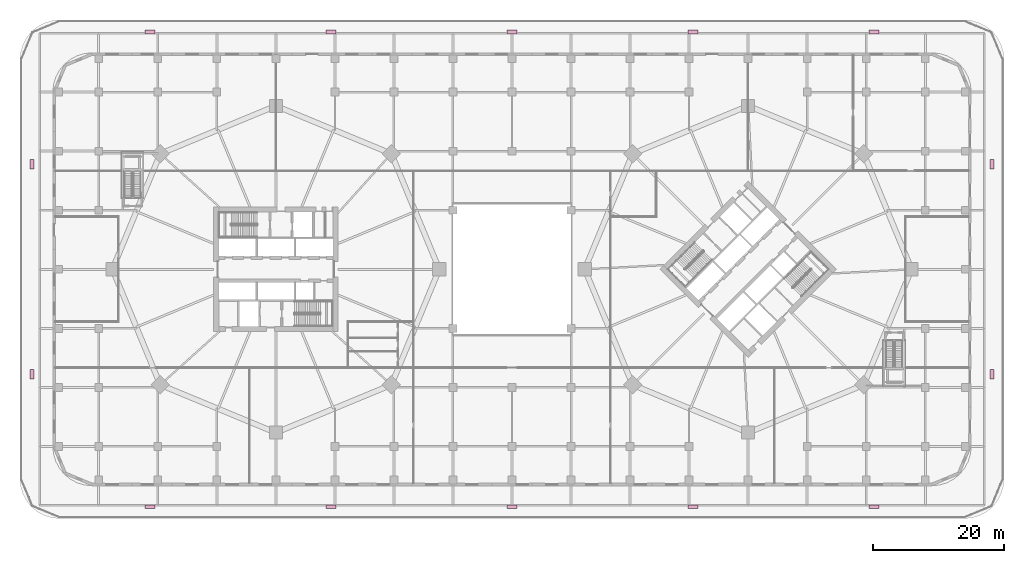
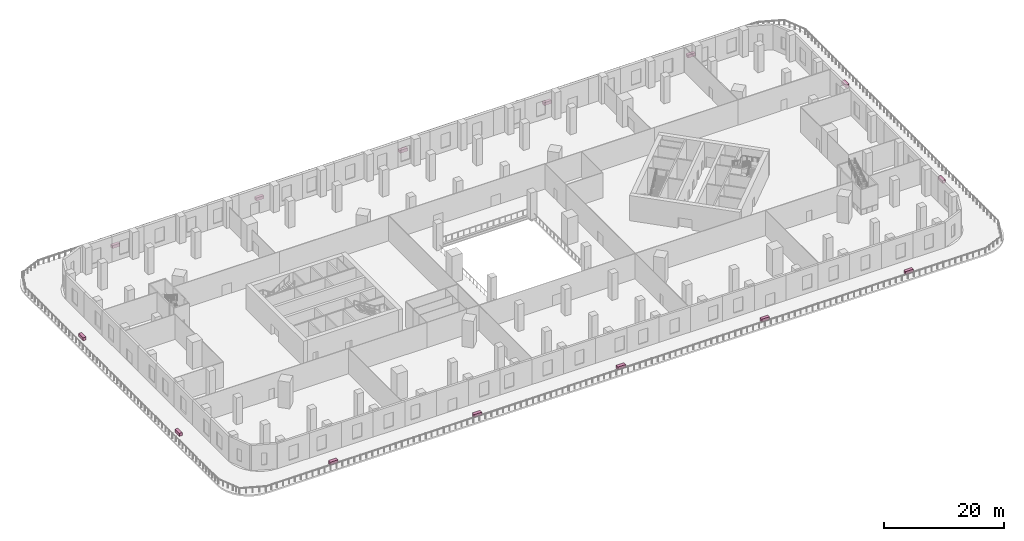
# One storey, part 20 of 20: 14 furniture elements.
"""IFC4 building model written with IfcOpenShell, lengths in metres."""

from ifc_helpers import new_model, si_unit, direction, frame, origin, origin_2d, place, context, subcontext, project, spatial, rectangle, extrude, material, type_object, element, save


model = new_model("IFC4")

# Units and contexts
model_context = context("Model", 3, precision=1e-05, world=origin(), true_north=direction((0.0, 1.0)))
body_context = subcontext(model_context, "Body", "Model", "MODEL_VIEW")
ifc_project = project(units=[si_unit("LENGTHUNIT", "METRE"), si_unit("AREAUNIT", "SQUARE_METRE"), si_unit("VOLUMEUNIT", "CUBIC_METRE"), si_unit("PLANEANGLEUNIT", "RADIAN"), si_unit("MASSUNIT", "GRAM", prefix="KILO")], contexts=[model_context])

# Site, building, storey
site_placement = place(None, origin())
site = spatial("IfcSite", under=ifc_project, at=site_placement, CompositionType="ELEMENT")
building_placement = place(site_placement, origin())
building = spatial("IfcBuilding", under=site, at=building_placement, Name="Ogive Gate Towers", CompositionType="ELEMENT")
storey_placement = place(building_placement, frame((0.0, 0.0, 7.199951171875)))
storey = spatial("IfcBuildingStorey", under=building, at=storey_placement, Name="L01", CompositionType="ELEMENT", Elevation=7.199951171875)

# Furniture
ifc_material = material(Name="Precast concrete C40/50", Category="concrete")
furniture_type = type_object("IfcFurnitureType", Name="Planter 1500 x 600", AssemblyPlace="NOTDEFINED", PredefinedType="USERDEFINED", material=ifc_material)
for number, where, z_axis, x_axis, name in (
    (1, (73.199951171875, -16.0, 0.0), (0.0, 0.0, 1.0), (0.0, 1.0, 0.0), "Planter"),
    (2, (73.199951171875, 16.0, 0.0), (0.0, 0.0, 1.0), (0.0, 1.0, 0.0), "Planter"),
    (3, (55.199951171875, 36.199951171875, 0.0), (0.0, 0.0, 1.0), (-1.0, 0.0, 0.0), "Planter"),
    (4, (27.60009765625, 36.199951171875, 0.0), (0.0, 0.0, 1.0), (-1.0, 0.0, 0.0), "Planter"),
    (5, (0.0, 36.199951171875, 0.0), (0.0, 0.0, 1.0), (-1.0, 0.0, 0.0), "Planter"),
    (6, (-27.60009765625, 36.199951171875, 0.0), (0.0, 0.0, 1.0), (-1.0, 0.0, 0.0), "Planter"),
    (7, (-55.199951171875, 36.199951171875, 0.0), (0.0, 0.0, 1.0), (-1.0, 0.0, 0.0), "Planter"),
    (8, (-73.199951171875, 16.0, 0.0), (0.0, 0.0, 1.0), (0.0, -1.0, 0.0), "Planter"),
    (9, (-73.199951171875, -16.0, 0.0), (0.0, 0.0, 1.0), (0.0, -1.0, 0.0), "Planter"),
    (10, (-55.199951171875, -36.199951171875, 0.0), (0.0, 0.0, 1.0), (1.0, 0.0, 0.0), "Planter"),
    (11, (-27.60009765625, -36.199951171875, 0.0), (0.0, 0.0, 1.0), (1.0, 0.0, 0.0), "Planter"),
    (12, (0.0, -36.199951171875, 0.0), (0.0, 0.0, 1.0), (1.0, 0.0, 0.0), "Planter"),
    (13, (27.60009765625, -36.199951171875, 0.0), (0.0, 0.0, 1.0), (1.0, 0.0, 0.0), "Planter"),
    (14, (55.199951171875, -36.199951171875, 0.0), (0.0, 0.0, 1.0), (1.0, 0.0, 0.0), "Planter"),
):
    element("IfcFurniture", number, at=place(storey_placement, frame(where, z_axis=z_axis, x_axis=x_axis)), inside=storey, type_object=furniture_type, Name=name, ObjectType="PLANTER", PredefinedType="USERDEFINED", context=body_context, shape_type="SweptSolid", body=[
        extrude(rectangle(XDim=1.5, YDim=0.60009765625, at=origin_2d()), origin(), (0.0, 0.0, 1.0), 0.60009765625),
    ])

save(model, "model.ifc")
